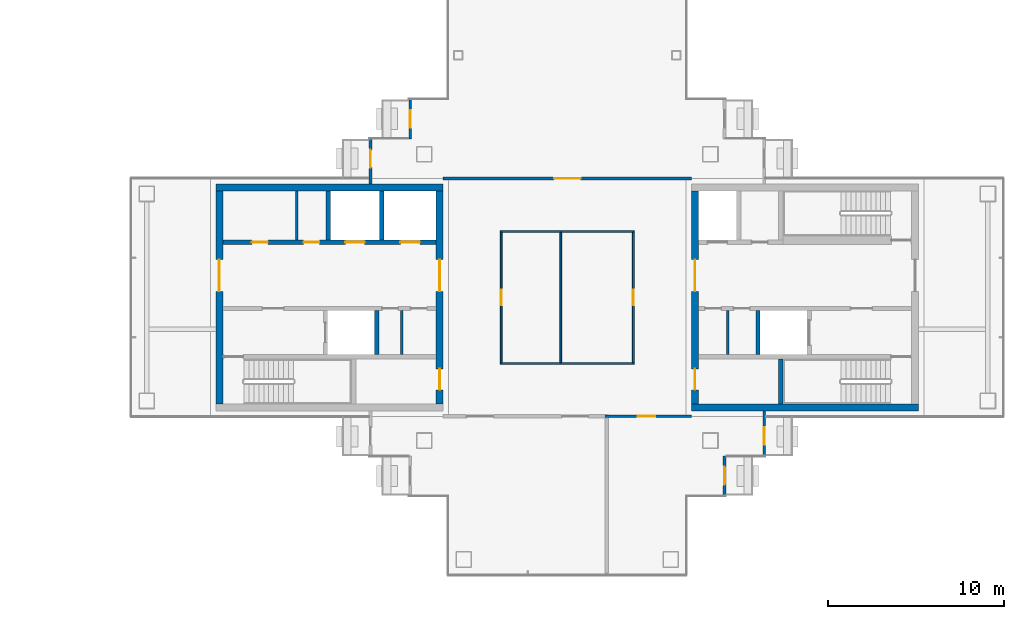
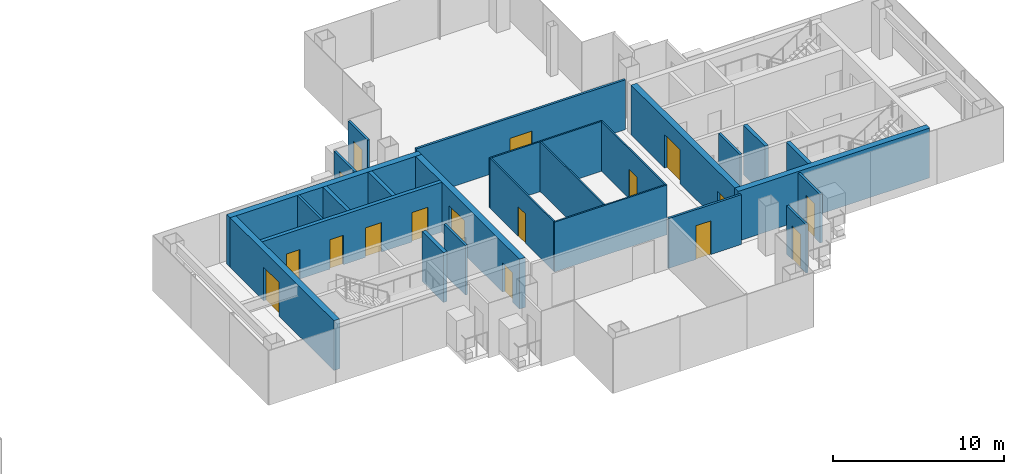
# One storey, part 11 of 16: 25 walls, 17 doors, 17 openings.
"""IFC4 building model written with IfcOpenShell, lengths in metres."""

from ifc_helpers import new_model, si_unit, direction, frame, frame_2d, origin, place, context, subcontext, project, spatial, rectangle, extrude, material, layer, layer_set, type_object, element, fill, save


model = new_model("IFC4")

# Units and contexts
model_context = context("Model", 3, precision=1e-05, world=origin(), true_north=direction((0.0, 1.0)))
body_context = subcontext(model_context, "Body", "Model", "MODEL_VIEW")
ifc_project = project(units=[si_unit("LENGTHUNIT", "METRE"), si_unit("AREAUNIT", "SQUARE_METRE"), si_unit("VOLUMEUNIT", "CUBIC_METRE"), si_unit("PLANEANGLEUNIT", "RADIAN"), si_unit("MASSUNIT", "GRAM", prefix="KILO")], contexts=[model_context])

# Site, building, storey
site_placement = place(None, origin())
site = spatial("IfcSite", under=ifc_project, at=site_placement, CompositionType="ELEMENT")
building_placement = place(site_placement, origin())
building = spatial("IfcBuilding", under=site, at=building_placement, Name="Shamsa Quay Exchange Towers", CompositionType="ELEMENT")
storey_placement = place(building_placement, frame((0.0, 0.0, 246.0)))
storey = spatial("IfcBuildingStorey", under=building, at=storey_placement, Name="L59", CompositionType="ELEMENT", Elevation=246.0)

# Wall, opening, door
ifc_material_1 = material(Name="Aluminium EN AW-6063 T6, black anodised, with black enamelled glass infill", Category="aluminium")
ifc_layer_1 = layer(ifc_material_1, 0.14990234375)
ifc_layer_set_1 = layer_set([ifc_layer_1], Name="BALCONY DOOR BAY WALL 150")
wall_type_1 = type_object("IfcWallType", Name="BALCONY DOOR BAY WALL 150", PredefinedType="SOLIDWALL", material=ifc_layer_set_1)
wall_1_placement = place(storey_placement, frame((24.824951171875, 9.0, 0.0), z_axis=(0.0, 0.0, 1.0), x_axis=(0.0, 1.0, 0.0)))
wall_1 = element("IfcWall", 1, at=wall_1_placement, inside=storey, type_object=wall_type_1, Name="Door bay T2-PKEN L59", PredefinedType="SOLIDWALL", context=body_context, shape_type="SweptSolid", body=[
    extrude(rectangle(XDim=2.25, YDim=0.14990234375, at=frame_2d((1.125, 0.0))), origin(), (0.0, 0.0, 1.0), 3.449951171875),
])
opening_1_placement = place(wall_1_placement, frame((0.625, 0.0, 0.0)))
opening_1 = element("IfcOpeningElement", 2, at=opening_1_placement, cuts=wall_1, Name="Opening XD393", PredefinedType="OPENING", context=body_context, shape_type="SweptSolid", body=[
    extrude(rectangle(XDim=1.0, YDim=2.39990234375, at=frame_2d((0.5, 1.199951171875))), frame((0.0, 0.0849609375, 0.0), z_axis=(0.0, -1.0, 0.0), x_axis=(1.0, 0.0, 0.0)), (0.0, 0.0, 1.0), 0.169921875),
])
ifc_material_2 = material(Name="Aluminium EN AW-6063 T6, black anodised, with laminated glass leaf", Category="aluminium")
door_type_1 = type_object("IfcDoorType", Name="BALCONY DOOR 1000x2400", OperationType="SINGLE_SWING_LEFT", PredefinedType="DOOR", material=ifc_material_2)
door_1_placement = place(opening_1_placement, origin())
door_1 = element("IfcDoor", 3, at=door_1_placement, inside=storey, type_object=door_type_1, Name="Balcony door T2-PKEN L59", OperationType="SINGLE_SWING_RIGHT", OverallHeight=2.39990234375, OverallWidth=1.0, PredefinedType="DOOR", context=body_context, shape_type="SweptSolid", body=[
    extrude(rectangle(XDim=1.0, YDim=2.39990234375, at=frame_2d((0.5, 1.199951171875))), frame((0.0, 0.02490234375, 0.0), z_axis=(0.0, -1.0, 0.0), x_axis=(1.0, 0.0, 0.0)), (0.0, 0.0, 1.0), 0.050048828125),
])
fill(opening_1, door_1)

wall_2_placement = place(storey_placement, frame((22.574951171875, 6.447998046875, 0.0), z_axis=(0.0, 0.0, 1.0), x_axis=(0.0, 1.0, 0.0)))
wall_2 = element("IfcWall", 4, at=wall_2_placement, inside=storey, type_object=wall_type_1, Name="Door bay T2-PKEN L59", PredefinedType="SOLIDWALL", context=body_context, shape_type="SweptSolid", body=[
    extrude(rectangle(XDim=2.552001953125, YDim=0.14990234375, at=frame_2d((1.27587890625, 0.0))), origin(), (0.0, 0.0, 1.0), 3.449951171875),
])
opening_2_placement = place(wall_2_placement, frame((0.927001953125, 0.0, 0.0)))
opening_2 = element("IfcOpeningElement", 5, at=opening_2_placement, cuts=wall_2, Name="Opening XD394", PredefinedType="OPENING", context=body_context, shape_type="SweptSolid", body=[
    extrude(rectangle(XDim=1.0, YDim=2.39990234375, at=frame_2d((0.5, 1.199951171875))), frame((0.0, 0.0849609375, 0.0), z_axis=(0.0, -1.0, 0.0), x_axis=(1.0, 0.0, 0.0)), (0.0, 0.0, 1.0), 0.169921875),
])
door_2_placement = place(opening_2_placement, origin())
door_2 = element("IfcDoor", 6, at=door_2_placement, inside=storey, type_object=door_type_1, Name="Balcony door T2-PKEN L59", OperationType="SINGLE_SWING_LEFT", OverallHeight=2.39990234375, OverallWidth=1.0, PredefinedType="DOOR", context=body_context, shape_type="SweptSolid", body=[
    extrude(rectangle(XDim=1.0, YDim=2.39990234375, at=frame_2d((0.5, 1.199951171875))), frame((0.0, 0.02490234375, 0.0), z_axis=(0.0, -1.0, 0.0), x_axis=(1.0, 0.0, 0.0)), (0.0, 0.0, 1.0), 0.050048828125),
])
fill(opening_2, door_2)

wall_3_placement = place(storey_placement, frame((42.675048828125, -9.0, 0.0), z_axis=(0.0, 0.0, 1.0), x_axis=(0.0, -1.0, 0.0)))
wall_3 = element("IfcWall", 7, at=wall_3_placement, inside=storey, type_object=wall_type_1, Name="Door bay T2-PKWS L59", PredefinedType="SOLIDWALL", context=body_context, shape_type="SweptSolid", body=[
    extrude(rectangle(XDim=2.25, YDim=0.14990234375, at=frame_2d((1.125, 0.0))), origin(), (0.0, 0.0, 1.0), 3.449951171875),
])
opening_3_placement = place(wall_3_placement, frame((0.625, 0.0, 0.0)))
opening_3 = element("IfcOpeningElement", 8, at=opening_3_placement, cuts=wall_3, Name="Opening XD399", PredefinedType="OPENING", context=body_context, shape_type="SweptSolid", body=[
    extrude(rectangle(XDim=1.0, YDim=2.39990234375, at=frame_2d((0.5, 1.199951171875))), frame((0.0, 0.0849609375, 0.0), z_axis=(0.0, -1.0, 0.0), x_axis=(1.0, 0.0, 0.0)), (0.0, 0.0, 1.0), 0.169921875),
])
door_3_placement = place(opening_3_placement, origin())
door_3 = element("IfcDoor", 9, at=door_3_placement, inside=storey, type_object=door_type_1, Name="Balcony door T2-PKWS L59", OperationType="SINGLE_SWING_LEFT", OverallHeight=2.39990234375, OverallWidth=1.0, PredefinedType="DOOR", context=body_context, shape_type="SweptSolid", body=[
    extrude(rectangle(XDim=1.0, YDim=2.39990234375, at=frame_2d((0.5, 1.199951171875))), frame((0.0, 0.02490234375, 0.0), z_axis=(0.0, -1.0, 0.0), x_axis=(1.0, 0.0, 0.0)), (0.0, 0.0, 1.0), 0.050048828125),
])
fill(opening_3, door_3)

wall_4_placement = place(storey_placement, frame((44.925048828125, -6.447998046875, 0.0), z_axis=(0.0, 0.0, 1.0), x_axis=(0.0, -1.0, 0.0)))
wall_4 = element("IfcWall", 10, at=wall_4_placement, inside=storey, type_object=wall_type_1, Name="Door bay T2-PKWS L59", PredefinedType="SOLIDWALL", context=body_context, shape_type="SweptSolid", body=[
    extrude(rectangle(XDim=2.552001953125, YDim=0.14990234375, at=frame_2d((1.27587890625, 0.0))), origin(), (0.0, 0.0, 1.0), 3.449951171875),
])
opening_4_placement = place(wall_4_placement, frame((0.927001953125, 0.0, 0.0)))
opening_4 = element("IfcOpeningElement", 11, at=opening_4_placement, cuts=wall_4, Name="Opening XD400", PredefinedType="OPENING", context=body_context, shape_type="SweptSolid", body=[
    extrude(rectangle(XDim=1.0, YDim=2.39990234375, at=frame_2d((0.5, 1.199951171875))), frame((0.0, 0.0849609375, 0.0), z_axis=(0.0, -1.0, 0.0), x_axis=(1.0, 0.0, 0.0)), (0.0, 0.0, 1.0), 0.169921875),
])
door_4_placement = place(opening_4_placement, origin())
door_4 = element("IfcDoor", 12, at=door_4_placement, inside=storey, type_object=door_type_1, Name="Balcony door T2-PKWS L59", OperationType="SINGLE_SWING_RIGHT", OverallHeight=2.39990234375, OverallWidth=1.0, PredefinedType="DOOR", context=body_context, shape_type="SweptSolid", body=[
    extrude(rectangle(XDim=1.0, YDim=2.39990234375, at=frame_2d((0.5, 1.199951171875))), frame((0.0, 0.02490234375, 0.0), z_axis=(0.0, -1.0, 0.0), x_axis=(1.0, 0.0, 0.0)), (0.0, 0.0, 1.0), 0.050048828125),
])
fill(opening_4, door_4)

# Wall
ifc_material_3 = material(Name="Concrete C60/75", Category="concrete")
ifc_layer_2 = layer(ifc_material_3, 0.39990234375)
ifc_layer_set_2 = layer_set([ifc_layer_2], Name="CORE WALL 400 C60/75")
wall_type_2 = type_object("IfcWallType", Name="CORE WALL 400 C60/75", PredefinedType="SHEAR", material=ifc_layer_set_2)
wall_5_placement = place(storey_placement, frame((13.800048828125, 6.25, 0.0)))
element("IfcWall", 13, at=wall_5_placement, inside=storey, type_object=wall_type_2, Name="Core wall T2A-R26-PN", PredefinedType="SHEAR", context=body_context, shape_type="SweptSolid", body=[
    extrude(rectangle(XDim=12.89990234375, YDim=0.39990234375, at=frame_2d((6.449951171875, 0.0))), origin(), (0.0, 0.0, 1.0), 3.550048828125),
])

# Wall, opening, door
wall_6_placement = place(storey_placement, frame((14.0, 6.050048828125, 0.0), z_axis=(0.0, 0.0, 1.0), x_axis=(0.0, -1.0, 0.0)))
wall_6 = element("IfcWall", 14, at=wall_6_placement, inside=storey, type_object=wall_type_2, Name="Core wall T2A-R26-PF", PredefinedType="SHEAR", context=body_context, shape_type="SweptSolid", body=[
    extrude(rectangle(XDim=12.10009765625, YDim=0.39990234375, at=frame_2d((6.050048828125, 0.0))), origin(), (0.0, 0.0, 1.0), 3.550048828125),
])
opening_5_placement = place(wall_6_placement, frame((3.89990234375, 0.0, 0.0)))
opening_5 = element("IfcOpeningElement", 15, at=opening_5_placement, cuts=wall_6, Name="Opening T2A-R26-LBD01", PredefinedType="OPENING", context=body_context, shape_type="SweptSolid", body=[
    extrude(rectangle(XDim=1.800048828125, YDim=2.39990234375, at=frame_2d((0.89990234375, 1.199951171875))), frame((0.0, 0.2099609375, 0.0), z_axis=(0.0, -1.0, 0.0), x_axis=(1.0, 0.0, 0.0)), (0.0, 0.0, 1.0), 0.419921875),
])
ifc_material_4 = material(Name="Steel, fire rated", Category="steel")
door_type_2 = type_object("IfcDoorType", Name="LIFT LOBBY DOOR PAIR 1800", OperationType="DOUBLE_DOOR_SINGLE_SWING", PredefinedType="DOOR", material=ifc_material_4)
door_5_placement = place(opening_5_placement, origin())
door_5 = element("IfcDoor", 16, at=door_5_placement, inside=storey, type_object=door_type_2, Name="T2A-R26-LBD01", OperationType="DOUBLE_DOOR_SINGLE_SWING", OverallHeight=2.39990234375, OverallWidth=1.800048828125, PredefinedType="DOOR", context=body_context, shape_type="SweptSolid", body=[
    extrude(rectangle(XDim=1.800048828125, YDim=2.39990234375, at=frame_2d((0.89990234375, 1.199951171875))), frame((0.0, 0.02490234375, 0.0), z_axis=(0.0, -1.0, 0.0), x_axis=(1.0, 0.0, 0.0)), (0.0, 0.0, 1.0), 0.050048828125),
])
fill(opening_5, door_5)

# Wall, openings, doors
wall_7_placement = place(storey_placement, frame((26.5, 6.050048828125, 0.0), z_axis=(0.0, 0.0, 1.0), x_axis=(0.0, -1.0, 0.0)))
wall_7 = element("IfcWall", 17, at=wall_7_placement, inside=storey, type_object=wall_type_2, Name="Core wall T2A-R26-PB", PredefinedType="SHEAR", context=body_context, shape_type="SweptSolid", body=[
    extrude(rectangle(XDim=12.10009765625, YDim=0.39990234375, at=frame_2d((6.050048828125, 0.0))), origin(), (0.0, 0.0, 1.0), 3.550048828125),
])
opening_6_placement = place(wall_7_placement, frame((10.10009765625, 0.0, 0.0)))
opening_6 = element("IfcOpeningElement", 18, at=opening_6_placement, cuts=wall_7, Name="Opening T2A-R26-RD02", PredefinedType="OPENING", context=body_context, shape_type="SweptSolid", body=[
    extrude(rectangle(XDim=1.199951171875, YDim=2.10009765625, at=frame_2d((0.60009765625, 1.050048828125))), frame((0.0, 0.2099609375, 0.0), z_axis=(0.0, -1.0, 0.0), x_axis=(1.0, 0.0, 0.0)), (0.0, 0.0, 1.0), 0.419921875),
])
opening_7_placement = place(wall_7_placement, frame((3.89990234375, 0.0, 0.0)))
opening_7 = element("IfcOpeningElement", 19, at=opening_7_placement, cuts=wall_7, Name="Opening T2A-R26-LBD03", PredefinedType="OPENING", context=body_context, shape_type="SweptSolid", body=[
    extrude(rectangle(XDim=1.800048828125, YDim=2.39990234375, at=frame_2d((0.89990234375, 1.199951171875))), frame((0.0, 0.2099609375, 0.0), z_axis=(0.0, -1.0, 0.0), x_axis=(1.0, 0.0, 0.0)), (0.0, 0.0, 1.0), 0.419921875),
])
door_6_placement = place(opening_7_placement, origin())
door_6 = element("IfcDoor", 20, at=door_6_placement, inside=storey, type_object=door_type_2, Name="T2A-R26-LBD03", OperationType="DOUBLE_DOOR_SINGLE_SWING", OverallHeight=2.39990234375, OverallWidth=1.800048828125, PredefinedType="DOOR", context=body_context, shape_type="SweptSolid", body=[
    extrude(rectangle(XDim=1.800048828125, YDim=2.39990234375, at=frame_2d((0.89990234375, 1.199951171875))), frame((0.0, 0.02490234375, 0.0), z_axis=(0.0, -1.0, 0.0), x_axis=(1.0, 0.0, 0.0)), (0.0, 0.0, 1.0), 0.050048828125),
])
fill(opening_7, door_6)
door_type_3 = type_object("IfcDoorType", Name="RISER ACCESS DOOR 1200", OperationType="SINGLE_SWING_LEFT", PredefinedType="DOOR", material=ifc_material_4)
door_7_placement = place(opening_6_placement, origin())
door_7 = element("IfcDoor", 21, at=door_7_placement, inside=storey, type_object=door_type_3, Name="T2A-R26-RD02", OperationType="SINGLE_SWING_RIGHT", OverallHeight=2.10009765625, OverallWidth=1.199951171875, PredefinedType="DOOR", context=body_context, shape_type="SweptSolid", body=[
    extrude(rectangle(XDim=1.199951171875, YDim=2.10009765625, at=frame_2d((0.60009765625, 1.050048828125))), frame((0.0, 0.02490234375, 0.0), z_axis=(0.0, -1.0, 0.0), x_axis=(1.0, 0.0, 0.0)), (0.0, 0.0, 1.0), 0.050048828125),
])
fill(opening_6, door_7)

# Wall
wall_8_placement = place(storey_placement, frame((53.699951171875, -6.25, 0.0), z_axis=(0.0, 0.0, 1.0), x_axis=(-1.0, 0.0, 0.0)))
element("IfcWall", 22, at=wall_8_placement, inside=storey, type_object=wall_type_2, Name="Core wall T2B-R26-PS", PredefinedType="SHEAR", context=body_context, shape_type="SweptSolid", body=[
    extrude(rectangle(XDim=12.89990234375, YDim=0.39990234375, at=frame_2d((6.449951171875, 0.0))), origin(), (0.0, 0.0, 1.0), 3.550048828125),
])

# Wall, openings, doors
wall_9_placement = place(storey_placement, frame((41.0, -6.050048828125, 0.0), z_axis=(0.0, 0.0, 1.0), x_axis=(0.0, 1.0, 0.0)))
wall_9 = element("IfcWall", 23, at=wall_9_placement, inside=storey, type_object=wall_type_2, Name="Core wall T2B-R26-PB", PredefinedType="SHEAR", context=body_context, shape_type="SweptSolid", body=[
    extrude(rectangle(XDim=12.10009765625, YDim=0.39990234375, at=frame_2d((6.050048828125, 0.0))), origin(), (0.0, 0.0, 1.0), 3.550048828125),
])
opening_8_placement = place(wall_9_placement, frame((0.800048828125, 0.0, 0.0)))
opening_8 = element("IfcOpeningElement", 24, at=opening_8_placement, cuts=wall_9, Name="Opening T2B-R26-RD02", PredefinedType="OPENING", context=body_context, shape_type="SweptSolid", body=[
    extrude(rectangle(XDim=1.199951171875, YDim=2.10009765625, at=frame_2d((0.60009765625, 1.050048828125))), frame((0.0, 0.2099609375, 0.0), z_axis=(0.0, -1.0, 0.0), x_axis=(1.0, 0.0, 0.0)), (0.0, 0.0, 1.0), 0.419921875),
])
opening_9_placement = place(wall_9_placement, frame((6.39990234375, 0.0, 0.0)))
opening_9 = element("IfcOpeningElement", 25, at=opening_9_placement, cuts=wall_9, Name="Opening T2B-R26-LBD03", PredefinedType="OPENING", context=body_context, shape_type="SweptSolid", body=[
    extrude(rectangle(XDim=1.800048828125, YDim=2.39990234375, at=frame_2d((0.89990234375, 1.199951171875))), frame((0.0, 0.2099609375, 0.0), z_axis=(0.0, -1.0, 0.0), x_axis=(1.0, 0.0, 0.0)), (0.0, 0.0, 1.0), 0.419921875),
])
door_8_placement = place(opening_9_placement, origin())
door_8 = element("IfcDoor", 26, at=door_8_placement, inside=storey, type_object=door_type_2, Name="T2B-R26-LBD03", OperationType="DOUBLE_DOOR_SINGLE_SWING", OverallHeight=2.39990234375, OverallWidth=1.800048828125, PredefinedType="DOOR", context=body_context, shape_type="SweptSolid", body=[
    extrude(rectangle(XDim=1.800048828125, YDim=2.39990234375, at=frame_2d((0.89990234375, 1.199951171875))), frame((0.0, 0.02490234375, 0.0), z_axis=(0.0, -1.0, 0.0), x_axis=(1.0, 0.0, 0.0)), (0.0, 0.0, 1.0), 0.050048828125),
])
fill(opening_9, door_8)
door_9_placement = place(opening_8_placement, origin())
door_9 = element("IfcDoor", 27, at=door_9_placement, inside=storey, type_object=door_type_3, Name="T2B-R26-RD02", OperationType="SINGLE_SWING_LEFT", OverallHeight=2.10009765625, OverallWidth=1.199951171875, PredefinedType="DOOR", context=body_context, shape_type="SweptSolid", body=[
    extrude(rectangle(XDim=1.199951171875, YDim=2.10009765625, at=frame_2d((0.60009765625, 1.050048828125))), frame((0.0, 0.02490234375, 0.0), z_axis=(0.0, -1.0, 0.0), x_axis=(1.0, 0.0, 0.0)), (0.0, 0.0, 1.0), 0.050048828125),
])
fill(opening_8, door_9)

# Walls
ifc_material_5 = material(Name="Gypsum board on steel studs, EI 60", Category="steel")
ifc_layer_3 = layer(ifc_material_5, 0.14990234375)
ifc_layer_set_3 = layer_set([ifc_layer_3], Name="FIRE PARTITION 150")
wall_type_3 = type_object("IfcWallType", Name="FIRE PARTITION 150", PredefinedType="PARTITIONING", material=ifc_layer_set_3)
wall_10_placement = place(storey_placement, frame((24.35009765625, -3.25, 0.0), z_axis=(0.0, 0.0, 1.0), x_axis=(0.0, 1.0, 0.0)))
element("IfcWall", 28, at=wall_10_placement, inside=storey, type_object=wall_type_3, Name="Partition T2A-R26-EC0", PredefinedType="PARTITIONING", context=body_context, shape_type="SweptSolid", body=[
    extrude(rectangle(XDim=2.5, YDim=0.14990234375, at=frame_2d((1.25, 0.0))), origin(), (0.0, 0.0, 1.0), 3.550048828125),
])
wall_11_placement = place(storey_placement, frame((18.39990234375, 3.25, 0.0), z_axis=(0.0, 0.0, 1.0), x_axis=(0.0, 1.0, 0.0)))
element("IfcWall", 29, at=wall_11_placement, inside=storey, type_object=wall_type_3, Name="Partition T2A-R26-FC0", PredefinedType="PARTITIONING", context=body_context, shape_type="SweptSolid", body=[
    extrude(rectangle(XDim=2.800048828125, YDim=0.14990234375, at=frame_2d((1.39990234375, 0.0))), origin(), (0.0, 0.0, 1.0), 3.550048828125),
])
wall_12_placement = place(storey_placement, frame((42.85009765625, -3.25, 0.0), z_axis=(0.0, 0.0, 1.0), x_axis=(0.0, 1.0, 0.0)))
element("IfcWall", 30, at=wall_12_placement, inside=storey, type_object=wall_type_3, Name="Partition T2B-R26-EC0", PredefinedType="PARTITIONING", context=body_context, shape_type="SweptSolid", body=[
    extrude(rectangle(XDim=2.5, YDim=0.14990234375, at=frame_2d((1.25, 0.0))), origin(), (0.0, 0.0, 1.0), 3.550048828125),
])

# Wall, opening, door
ifc_material_6 = material(Name="Gypsum board partition on metal studs")
ifc_layer_4 = layer(ifc_material_6, 0.10009765625)
ifc_layer_set_4 = layer_set([ifc_layer_4], Name="Partition 100 mm NOT RATED")
wall_type_4 = type_object("IfcWallType", Name="Partition 100 mm NOT RATED", PredefinedType="PARTITIONING", material=ifc_layer_set_4)
wall_13_placement = place(storey_placement, frame((37.5, -3.699951171875, 0.0), z_axis=(0.0, 0.0, 1.0), x_axis=(0.0, 1.0, 0.0)))
wall_13 = element("IfcWall", 31, at=wall_13_placement, inside=storey, type_object=wall_type_4, Name="Partition T2-R26-W01", PredefinedType="PARTITIONING", context=body_context, shape_type="SweptSolid", body=[
    extrude(rectangle(XDim=7.39990234375, YDim=0.10009765625, at=frame_2d((3.699951171875, 0.0))), origin(), (0.0, 0.0, 1.0), 3.550048828125),
])
opening_10_placement = place(wall_13_placement, frame((3.25, 0.0, 0.0)))
opening_10 = element("IfcOpeningElement", 32, at=opening_10_placement, cuts=wall_13, Name="Opening T2-R26-D02", PredefinedType="OPENING", context=body_context, shape_type="SweptSolid", body=[
    extrude(rectangle(XDim=0.89990234375, YDim=2.10009765625, at=frame_2d((0.449951171875, 1.050048828125))), frame((0.0, 0.06005859375, 0.0), z_axis=(0.0, -1.0, 0.0), x_axis=(1.0, 0.0, 0.0)), (0.0, 0.0, 1.0), 0.1201171875),
])
ifc_material_7 = material(Name="Timber door leaf in a metal frame", Category="wood")
door_type_4 = type_object("IfcDoorType", Name="Door 900x2100 NOT RATED", OperationType="NOTDEFINED", PredefinedType="DOOR", material=ifc_material_7)
door_10_placement = place(opening_10_placement, origin())
door_10 = element("IfcDoor", 33, at=door_10_placement, inside=storey, type_object=door_type_4, Name="Door T2-R26-D02", OperationType="SINGLE_SWING_LEFT", OverallHeight=2.10009765625, OverallWidth=0.89990234375, PredefinedType="DOOR", context=body_context, shape_type="SweptSolid", body=[
    extrude(rectangle(XDim=0.89990234375, YDim=2.10009765625, at=frame_2d((0.449951171875, 1.050048828125))), frame((0.0, 0.02490234375, 0.0), z_axis=(0.0, -1.0, 0.0), x_axis=(1.0, 0.0, 0.0)), (0.0, 0.0, 1.0), 0.050048828125),
])
fill(opening_10, door_10)

# Walls
wall_14_placement = place(storey_placement, frame((29.949951171875, -3.75, 0.0)))
element("IfcWall", 34, at=wall_14_placement, inside=storey, type_object=wall_type_4, Name="Partition T2-R26-W02", PredefinedType="PARTITIONING", context=body_context, shape_type="SweptSolid", body=[
    extrude(rectangle(XDim=7.60009765625, YDim=0.10009765625, at=frame_2d((3.800048828125, 0.0))), origin(), (0.0, 0.0, 1.0), 3.550048828125),
])
wall_15_placement = place(storey_placement, frame((37.550048828125, 3.75, 0.0), z_axis=(0.0, 0.0, 1.0), x_axis=(-1.0, 0.0, 0.0)))
element("IfcWall", 35, at=wall_15_placement, inside=storey, type_object=wall_type_4, Name="Partition T2-R26-W03", PredefinedType="PARTITIONING", context=body_context, shape_type="SweptSolid", body=[
    extrude(rectangle(XDim=7.60009765625, YDim=0.10009765625, at=frame_2d((3.800048828125, 0.0))), origin(), (0.0, 0.0, 1.0), 3.550048828125),
])

# Wall, opening, door
wall_16_placement = place(storey_placement, frame((30.0, 3.699951171875, 0.0), z_axis=(0.0, 0.0, 1.0), x_axis=(0.0, -1.0, 0.0)))
wall_16 = element("IfcWall", 36, at=wall_16_placement, inside=storey, type_object=wall_type_4, Name="Partition T2-R26-W04", PredefinedType="PARTITIONING", context=body_context, shape_type="SweptSolid", body=[
    extrude(rectangle(XDim=7.39990234375, YDim=0.10009765625, at=frame_2d((3.699951171875, 0.0))), origin(), (0.0, 0.0, 1.0), 3.550048828125),
])
opening_11_placement = place(wall_16_placement, frame((3.25, 0.0, 0.0)))
opening_11 = element("IfcOpeningElement", 37, at=opening_11_placement, cuts=wall_16, Name="Opening T2-R26-D06", PredefinedType="OPENING", context=body_context, shape_type="SweptSolid", body=[
    extrude(rectangle(XDim=0.89990234375, YDim=2.10009765625, at=frame_2d((0.449951171875, 1.050048828125))), frame((0.0, 0.06005859375, 0.0), z_axis=(0.0, -1.0, 0.0), x_axis=(1.0, 0.0, 0.0)), (0.0, 0.0, 1.0), 0.1201171875),
])
door_11_placement = place(opening_11_placement, origin())
door_11 = element("IfcDoor", 38, at=door_11_placement, inside=storey, type_object=door_type_4, Name="Door T2-R26-D06", OperationType="SINGLE_SWING_RIGHT", OverallHeight=2.10009765625, OverallWidth=0.89990234375, PredefinedType="DOOR", context=body_context, shape_type="SweptSolid", body=[
    extrude(rectangle(XDim=0.89990234375, YDim=2.10009765625, at=frame_2d((0.449951171875, 1.050048828125))), frame((0.0, 0.02490234375, 0.0), z_axis=(0.0, -1.0, 0.0), x_axis=(1.0, 0.0, 0.0)), (0.0, 0.0, 1.0), 0.050048828125),
])
fill(opening_11, door_11)

# Wall
wall_17_placement = place(storey_placement, frame((33.375, 3.699951171875, 0.0), z_axis=(0.0, 0.0, 1.0), x_axis=(0.0, -1.0, 0.0)))
element("IfcWall", 39, at=wall_17_placement, inside=storey, type_object=wall_type_4, Name="Partition T2-R26-W08", PredefinedType="PARTITIONING", context=body_context, shape_type="SweptSolid", body=[
    extrude(rectangle(XDim=7.39990234375, YDim=0.10009765625, at=frame_2d((3.699951171875, 0.0))), origin(), (0.0, 0.0, 1.0), 3.550048828125),
])

# Wall, opening, door
ifc_layer_5 = layer(ifc_material_6, 0.14990234375)
ifc_layer_set_5 = layer_set([ifc_layer_5], Name="Partition 150 mm EI 60")
wall_type_5 = type_object("IfcWallType", Name="Partition 150 mm EI 60", PredefinedType="PARTITIONING", material=ifc_layer_set_5)
wall_18_placement = place(storey_placement, frame((26.699951171875, 6.75, 0.0)))
wall_18 = element("IfcWall", 40, at=wall_18_placement, inside=storey, type_object=wall_type_5, Name="Partition T2-R26-W05", PredefinedType="PARTITIONING", context=body_context, shape_type="SweptSolid", body=[
    extrude(rectangle(XDim=14.10009765625, YDim=0.14990234375, at=frame_2d((7.050048828125, 0.0))), origin(), (0.0, 0.0, 1.0), 3.550048828125),
])
opening_12_placement = place(wall_18_placement, frame((6.300048828125, 0.0, 0.0)))
opening_12 = element("IfcOpeningElement", 41, at=opening_12_placement, cuts=wall_18, Name="Opening T2-R26-D01", PredefinedType="OPENING", context=body_context, shape_type="SweptSolid", body=[
    extrude(rectangle(XDim=1.5, YDim=2.10009765625, at=frame_2d((0.75, 1.050048828125))), frame((0.0, 0.0849609375, 0.0), z_axis=(0.0, -1.0, 0.0), x_axis=(1.0, 0.0, 0.0)), (0.0, 0.0, 1.0), 0.169921875),
])
door_type_5 = type_object("IfcDoorType", Name="Door 1500x2100 FD30S pair", OperationType="NOTDEFINED", PredefinedType="DOOR", material=ifc_material_7)
door_12_placement = place(opening_12_placement, origin())
door_12 = element("IfcDoor", 42, at=door_12_placement, inside=storey, type_object=door_type_5, Name="Door T2-R26-D01", OperationType="DOUBLE_DOOR_SINGLE_SWING", OverallHeight=2.10009765625, OverallWidth=1.5, PredefinedType="DOOR", context=body_context, shape_type="SweptSolid", body=[
    extrude(rectangle(XDim=1.5, YDim=2.10009765625, at=frame_2d((0.75, 1.050048828125))), frame((0.0, 0.02490234375, 0.0), z_axis=(0.0, -1.0, 0.0), x_axis=(1.0, 0.0, 0.0)), (0.0, 0.0, 1.0), 0.050048828125),
])
fill(opening_12, door_12)

wall_19_placement = place(storey_placement, frame((40.800048828125, -6.75, 0.0), z_axis=(0.0, 0.0, 1.0), x_axis=(-1.0, 0.0, 0.0)))
wall_19 = element("IfcWall", 43, at=wall_19_placement, inside=storey, type_object=wall_type_5, Name="Partition T2-R26-W06", PredefinedType="PARTITIONING", context=body_context, shape_type="SweptSolid", body=[
    extrude(rectangle(XDim=4.900146484375, YDim=0.14990234375, at=frame_2d((2.4501953125, 0.0))), origin(), (0.0, 0.0, 1.0), 3.550048828125),
])
opening_13_placement = place(wall_19_placement, frame((2.050048828125, 0.0, 0.0)))
opening_13 = element("IfcOpeningElement", 44, at=opening_13_placement, cuts=wall_19, Name="Opening T2-R26-D04", PredefinedType="OPENING", context=body_context, shape_type="SweptSolid", body=[
    extrude(rectangle(XDim=1.0, YDim=2.39990234375, at=frame_2d((0.5, 1.199951171875))), frame((0.0, 0.0849609375, 0.0), z_axis=(0.0, -1.0, 0.0), x_axis=(1.0, 0.0, 0.0)), (0.0, 0.0, 1.0), 0.169921875),
])
door_type_6 = type_object("IfcDoorType", Name="Door 1000x2400 FD30S", OperationType="NOTDEFINED", PredefinedType="DOOR", material=ifc_material_7)
door_13_placement = place(opening_13_placement, origin())
door_13 = element("IfcDoor", 45, at=door_13_placement, inside=storey, type_object=door_type_6, Name="Door T2-R26-D04", OperationType="SINGLE_SWING_RIGHT", OverallHeight=2.39990234375, OverallWidth=1.0, PredefinedType="DOOR", context=body_context, shape_type="SweptSolid", body=[
    extrude(rectangle(XDim=1.0, YDim=2.39990234375, at=frame_2d((0.5, 1.199951171875))), frame((0.0, 0.02490234375, 0.0), z_axis=(0.0, -1.0, 0.0), x_axis=(1.0, 0.0, 0.0)), (0.0, 0.0, 1.0), 0.050048828125),
])
fill(opening_13, door_13)

# Wall
ifc_material_8 = material(Name="Concrete C50/60", Category="concrete")
ifc_layer_6 = layer(ifc_material_8, 0.25)
ifc_layer_set_6 = layer_set([ifc_layer_6], Name="SHAFT WALL 250 C50/60")
wall_type_6 = type_object("IfcWallType", Name="SHAFT WALL 250 C50/60", PredefinedType="SHEAR", material=ifc_layer_set_6)
wall_20_placement = place(storey_placement, frame((22.925048828125, -3.25, 0.0), z_axis=(0.0, 0.0, 1.0), x_axis=(0.0, 1.0, 0.0)))
element("IfcWall", 46, at=wall_20_placement, inside=storey, type_object=wall_type_6, Name="Shaft wall T2A-R26-FFB", PredefinedType="SHEAR", context=body_context, shape_type="SweptSolid", body=[
    extrude(rectangle(XDim=2.5, YDim=0.25, at=frame_2d((1.25, 0.0))), origin(), (0.0, 0.0, 1.0), 3.550048828125),
])

# Wall, openings, doors
wall_21_placement = place(storey_placement, frame((14.199951171875, 3.125, 0.0)))
wall_21 = element("IfcWall", 47, at=wall_21_placement, inside=storey, type_object=wall_type_6, Name="Shaft wall T2A-R26-N", PredefinedType="SHEAR", context=body_context, shape_type="SweptSolid", body=[
    extrude(rectangle(XDim=12.10009765625, YDim=0.25, at=frame_2d((6.050048828125, 0.0))), origin(), (0.0, 0.0, 1.0), 3.550048828125),
])
opening_14_placement = place(wall_21_placement, frame((6.949951171875, 0.0, 0.0)))
opening_14 = element("IfcOpeningElement", 48, at=opening_14_placement, cuts=wall_21, Name="Opening T2A-R26-LD09", PredefinedType="OPENING", context=body_context, shape_type="SweptSolid", body=[
    extrude(rectangle(XDim=1.10009765625, YDim=2.10009765625, at=frame_2d((0.550048828125, 1.050048828125))), frame((0.0, 0.135009765625, 0.0), z_axis=(0.0, -1.0, 0.0), x_axis=(1.0, 0.0, 0.0)), (0.0, 0.0, 1.0), 0.27001953125),
])
opening_15_placement = place(wall_21_placement, frame((10.074951171875, 0.0, 0.0)))
opening_15 = element("IfcOpeningElement", 49, at=opening_15_placement, cuts=wall_21, Name="Opening T2A-R26-LD10", PredefinedType="OPENING", context=body_context, shape_type="SweptSolid", body=[
    extrude(rectangle(XDim=1.10009765625, YDim=2.10009765625, at=frame_2d((0.550048828125, 1.050048828125))), frame((0.0, 0.135009765625, 0.0), z_axis=(0.0, -1.0, 0.0), x_axis=(1.0, 0.0, 0.0)), (0.0, 0.0, 1.0), 0.27001953125),
])
opening_16_placement = place(wall_21_placement, frame((1.64990234375, 0.0, 0.0)))
opening_16 = element("IfcOpeningElement", 50, at=opening_16_placement, cuts=wall_21, Name="Opening T2A-R26-SV11", PredefinedType="OPENING", context=body_context, shape_type="SweptSolid", body=[
    extrude(rectangle(XDim=0.89990234375, YDim=2.10009765625, at=frame_2d((0.449951171875, 1.050048828125))), frame((0.0, 0.135009765625, 0.0), z_axis=(0.0, -1.0, 0.0), x_axis=(1.0, 0.0, 0.0)), (0.0, 0.0, 1.0), 0.27001953125),
])
opening_17_placement = place(wall_21_placement, frame((4.574951171875, 0.0, 0.0)))
opening_17 = element("IfcOpeningElement", 51, at=opening_17_placement, cuts=wall_21, Name="Opening T2A-R26-SV12", PredefinedType="OPENING", context=body_context, shape_type="SweptSolid", body=[
    extrude(rectangle(XDim=0.89990234375, YDim=2.10009765625, at=frame_2d((0.449951171875, 1.050048828125))), frame((0.0, 0.135009765625, 0.0), z_axis=(0.0, -1.0, 0.0), x_axis=(1.0, 0.0, 0.0)), (0.0, 0.0, 1.0), 0.27001953125),
])
door_type_7 = type_object("IfcDoorType", Name="LANDING DOOR 1100", OperationType="SLIDING_TO_LEFT", PredefinedType="DOOR", material=ifc_material_4)
door_14_placement = place(opening_14_placement, origin())
door_14 = element("IfcDoor", 52, at=door_14_placement, inside=storey, type_object=door_type_7, Name="T2A-R26-LD09", OperationType="SLIDING_TO_LEFT", OverallHeight=2.10009765625, OverallWidth=1.10009765625, PredefinedType="DOOR", context=body_context, shape_type="SweptSolid", body=[
    extrude(rectangle(XDim=1.10009765625, YDim=2.10009765625, at=frame_2d((0.550048828125, 1.050048828125))), frame((0.0, 0.02490234375, 0.0), z_axis=(0.0, -1.0, 0.0), x_axis=(1.0, 0.0, 0.0)), (0.0, 0.0, 1.0), 0.050048828125),
])
fill(opening_14, door_14)
door_15_placement = place(opening_15_placement, origin())
door_15 = element("IfcDoor", 53, at=door_15_placement, inside=storey, type_object=door_type_7, Name="T2A-R26-LD10", OperationType="SLIDING_TO_LEFT", OverallHeight=2.10009765625, OverallWidth=1.10009765625, PredefinedType="DOOR", context=body_context, shape_type="SweptSolid", body=[
    extrude(rectangle(XDim=1.10009765625, YDim=2.10009765625, at=frame_2d((0.550048828125, 1.050048828125))), frame((0.0, 0.02490234375, 0.0), z_axis=(0.0, -1.0, 0.0), x_axis=(1.0, 0.0, 0.0)), (0.0, 0.0, 1.0), 0.050048828125),
])
fill(opening_15, door_15)
door_type_8 = type_object("IfcDoorType", Name="SERVICE ROOM DOOR 900", OperationType="SINGLE_SWING_LEFT", PredefinedType="DOOR", material=ifc_material_4)
door_16_placement = place(opening_16_placement, origin())
door_16 = element("IfcDoor", 54, at=door_16_placement, inside=storey, type_object=door_type_8, Name="T2A-R26-SV11", OperationType="SINGLE_SWING_LEFT", OverallHeight=2.10009765625, OverallWidth=0.89990234375, PredefinedType="DOOR", context=body_context, shape_type="SweptSolid", body=[
    extrude(rectangle(XDim=0.89990234375, YDim=2.10009765625, at=frame_2d((0.449951171875, 1.050048828125))), frame((0.0, 0.02490234375, 0.0), z_axis=(0.0, -1.0, 0.0), x_axis=(1.0, 0.0, 0.0)), (0.0, 0.0, 1.0), 0.050048828125),
])
fill(opening_16, door_16)
door_17_placement = place(opening_17_placement, origin())
door_17 = element("IfcDoor", 55, at=door_17_placement, inside=storey, type_object=door_type_8, Name="T2A-R26-SV12", OperationType="SINGLE_SWING_LEFT", OverallHeight=2.10009765625, OverallWidth=0.89990234375, PredefinedType="DOOR", context=body_context, shape_type="SweptSolid", body=[
    extrude(rectangle(XDim=0.89990234375, YDim=2.10009765625, at=frame_2d((0.449951171875, 1.050048828125))), frame((0.0, 0.02490234375, 0.0), z_axis=(0.0, -1.0, 0.0), x_axis=(1.0, 0.0, 0.0)), (0.0, 0.0, 1.0), 0.050048828125),
])
fill(opening_17, door_17)

# Walls
for number, where, z_axis, x_axis, name in (
    (56, (20.175048828125, 3.25, 0.0), (0.0, 0.0, 1.0), (0.0, 1.0, 0.0), "Shaft wall T2A-R26-D1"),
    (57, (23.22509765625, 3.25, 0.0), (0.0, 0.0, 1.0), (0.0, 1.0, 0.0), "Shaft wall T2A-R26-D2"),
):
    element("IfcWall", number, at=place(storey_placement, frame(where, z_axis=z_axis, x_axis=x_axis)), inside=storey, type_object=wall_type_6, Name=name, PredefinedType="SHEAR", context=body_context, shape_type="SweptSolid", body=[
        extrude(rectangle(XDim=2.800048828125, YDim=0.25, at=frame_2d((1.39990234375, 0.0))), origin(), (0.0, 0.0, 1.0), 3.550048828125),
    ])
wall_22_placement = place(storey_placement, frame((45.875, -6.050048828125, 0.0), z_axis=(0.0, 0.0, 1.0), x_axis=(0.0, 1.0, 0.0)))
element("IfcWall", 58, at=wall_22_placement, inside=storey, type_object=wall_type_6, Name="Shaft wall T2B-R26-STF", PredefinedType="SHEAR", context=body_context, shape_type="SweptSolid", body=[
    extrude(rectangle(XDim=2.550048828125, YDim=0.25, at=frame_2d((1.27490234375, 0.0))), origin(), (0.0, 0.0, 1.0), 3.550048828125),
])
wall_23_placement = place(storey_placement, frame((44.574951171875, -3.25, 0.0), z_axis=(0.0, 0.0, 1.0), x_axis=(0.0, 1.0, 0.0)))
element("IfcWall", 59, at=wall_23_placement, inside=storey, type_object=wall_type_6, Name="Shaft wall T2B-R26-FFB", PredefinedType="SHEAR", context=body_context, shape_type="SweptSolid", body=[
    extrude(rectangle(XDim=2.5, YDim=0.25, at=frame_2d((1.25, 0.0))), origin(), (0.0, 0.0, 1.0), 3.550048828125),
])

save(model, "model.ifc")
